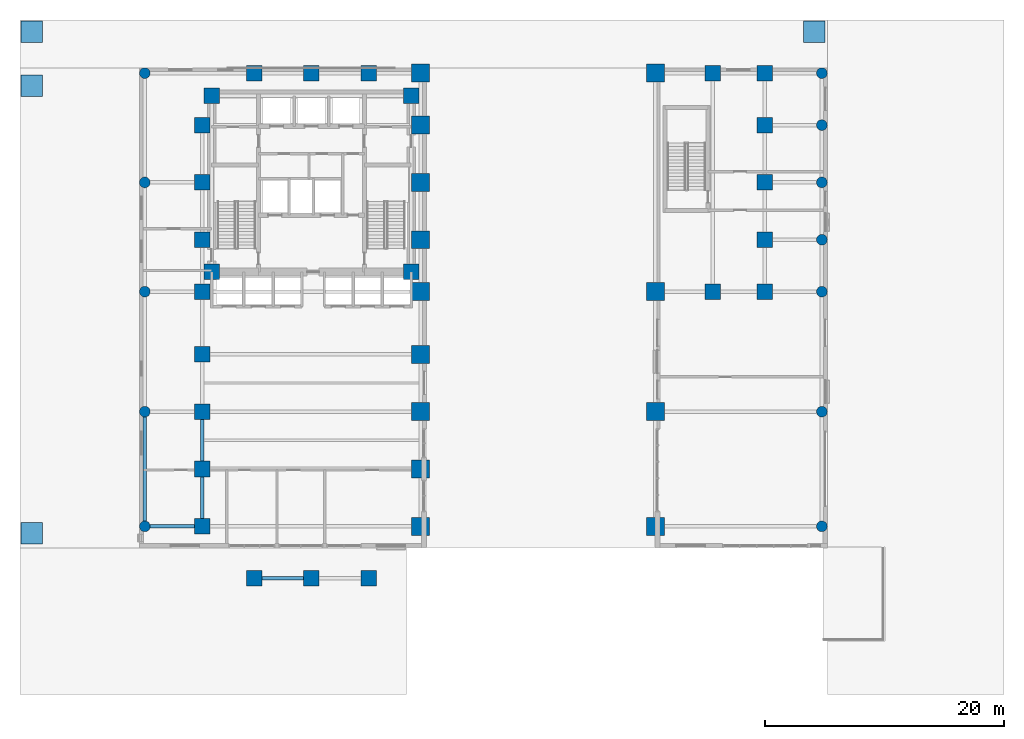
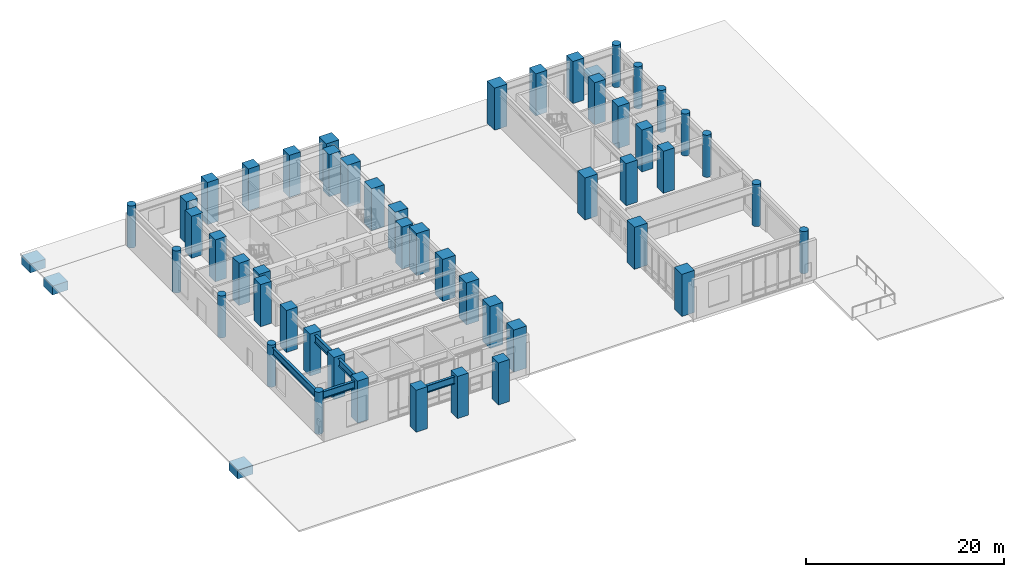
# One storey, part 1 of 16: 50 columns, 5 beams, 4 footings.
"""IFC4 building model written with IfcOpenShell, lengths in metres."""

from ifc_helpers import new_model, si_unit, direction, frame, origin, origin_2d, place, context, subcontext, project, spatial, rectangle, circle, i_section, extrude, material, material_profile, profile_set, type_object, element, save


model = new_model("IFC4")

# Units and contexts
model_context = context("Model", 3, precision=1e-05, world=origin(), true_north=direction((0.0, 1.0)))
body_context = subcontext(model_context, "Body", "Model", "MODEL_VIEW")
ifc_project = project(units=[si_unit("LENGTHUNIT", "METRE"), si_unit("AREAUNIT", "SQUARE_METRE"), si_unit("VOLUMEUNIT", "CUBIC_METRE"), si_unit("PLANEANGLEUNIT", "RADIAN"), si_unit("MASSUNIT", "GRAM", prefix="KILO")], contexts=[model_context])

# Site, building, storey
site_placement = place(None, origin())
site = spatial("IfcSite", under=ifc_project, at=site_placement, CompositionType="ELEMENT")
building_placement = place(site_placement, origin())
building = spatial("IfcBuilding", under=site, at=building_placement, Name="Orvandelia Arch Residences", CompositionType="ELEMENT")
storey_placement = place(building_placement, origin())
storey = spatial("IfcBuildingStorey", under=building, at=storey_placement, Name="L00", CompositionType="ELEMENT", Elevation=0.0)

# Footings
ifc_material_1 = material(Name="Concrete C50/60", Category="concrete")
footing_type = type_object("IfcFootingType", Name="FTG-PAD-1800", PredefinedType="PAD_FOOTING", material=ifc_material_1)
for number, where, z_axis, x_axis, name in (
    (1, (-9.0, 51.0, -1.300048828125), (0.0, 0.0, 1.0), (1.0, 0.0, 0.0), "Promenade Edge Pad Footing PLZ-1"),
    (2, (56.5, 51.0, -1.300048828125), (0.0, 0.0, 1.0), (1.0, 0.0, 0.0), "Promenade Edge Pad Footing PLZ-2"),
    (3, (-9.0, 9.0, -1.300048828125), (0.0, 0.0, 1.0), (1.0, 0.0, 0.0), "Promenade Edge Pad Footing PLZ-3"),
    (4, (-9.0, 46.5, -1.300048828125), (0.0, 0.0, 1.0), (1.0, 0.0, 0.0), "Promenade Edge Pad Footing PLZ-4"),
):
    element("IfcFooting", number, at=place(storey_placement, frame(where, z_axis=z_axis, x_axis=x_axis)), inside=storey, type_object=footing_type, Name=name, PredefinedType="PAD_FOOTING", context=body_context, shape_type="SweptSolid", body=[
        extrude(rectangle(XDim=1.800048828125, YDim=1.800048828125, at=origin_2d()), origin(), (0.0, 0.0, 1.0), 1.10009765625),
    ])

# Columns
ifc_material_2 = material(Name="Concrete C80/95", Category="concrete")
ifc_material_profile_1 = material_profile(ifc_material_2, rectangle(XDim=1.5, YDim=1.5, at=origin_2d()), Name="Concrete C80/95", Category="concrete")
ifc_profile_set_1 = profile_set([ifc_material_profile_1], Name="Concrete C80/95")
column_type_1 = type_object("IfcColumnType", Name="COL-MEGA-1500", PredefinedType="USERDEFINED", material=ifc_profile_set_1)
for number, where, z_axis, x_axis, name in (
    (5, (23.550048828125, 9.60009765625, 0.0), (0.0, 0.0, 1.0), (1.0, 0.0, 0.0), "Structural Column L00-W-E-96"),
    (6, (23.550048828125, 14.39990234375, 0.0), (0.0, 0.0, 1.0), (1.0, 0.0, 0.0), "Structural Column L00-W-E-144"),
    (7, (23.550048828125, 19.199951171875, 0.0), (0.0, 0.0, 1.0), (1.0, 0.0, 0.0), "Structural Column L00-W-E-192"),
    (8, (23.550048828125, 24.0, 0.0), (0.0, 0.0, 1.0), (1.0, 0.0, 0.0), "Structural Column L00-W-E-240"),
    (9, (23.550048828125, 29.25, 0.0), (0.0, 0.0, 1.0), (1.0, 0.0, 0.0), "Structural Column L00-W-E-292"),
    (10, (23.550048828125, 33.60009765625, 0.0), (0.0, 0.0, 1.0), (1.0, 0.0, 0.0), "Structural Column L00-W-E-336"),
    (11, (23.550048828125, 38.39990234375, 0.0), (0.0, 0.0, 1.0), (1.0, 0.0, 0.0), "Structural Column L00-W-E-384"),
    (12, (23.550048828125, 43.199951171875, 0.0), (0.0, 0.0, 1.0), (1.0, 0.0, 0.0), "Structural Column L00-W-E-432"),
    (13, (23.550048828125, 47.550048828125, 0.0), (0.0, 0.0, 1.0), (1.0, 0.0, 0.0), "Structural Column L00-W-N-235"),
    (14, (43.199951171875, 9.60009765625, 0.0), (0.0, 0.0, 1.0), (1.0, 0.0, 0.0), "Structural Column L00-MPE-96"),
    (15, (43.199951171875, 19.199951171875, 0.0), (0.0, 0.0, 1.0), (1.0, 0.0, 0.0), "Structural Column L00-MPE-192"),
    (16, (43.199951171875, 29.25, 0.0), (0.0, 0.0, 1.0), (1.0, 0.0, 0.0), "Structural Column L00-E-S-432"),
    (17, (43.199951171875, 47.550048828125, 0.0), (0.0, 0.0, 1.0), (1.0, 0.0, 0.0), "Structural Column L00-E-N-432"),
):
    element("IfcColumn", number, at=place(storey_placement, frame(where, z_axis=z_axis, x_axis=x_axis)), inside=storey, type_object=column_type_1, Name=name, ObjectType="PIER COLUMN", PredefinedType="USERDEFINED", context=body_context, shape_type="SweptSolid", body=[
        extrude(rectangle(XDim=1.5, YDim=1.5, at=origin_2d()), origin(), (0.0, 0.0, 1.0), 5.199951171875),
    ])
ifc_material_3 = material(Name="Concrete C60/75", Category="concrete")
ifc_material_profile_2 = material_profile(ifc_material_3, circle(Radius=0.449951171875, at=origin_2d()), Name="Concrete C60/75", Category="concrete")
ifc_profile_set_2 = profile_set([ifc_material_profile_2], Name="Concrete C60/75")
column_type_2 = type_object("IfcColumnType", Name="COL-POD-900C", PredefinedType="COLUMN", material=ifc_profile_set_2)
for number, where, z_axis, x_axis, name in (
    (18, (0.449951171875, 9.60009765625, 0.0), (0.0, 0.0, 1.0), (1.0, 0.0, 0.0), "Structural Column L00-POD-W0-96"),
    (19, (0.449951171875, 19.199951171875, 0.0), (0.0, 0.0, 1.0), (1.0, 0.0, 0.0), "Structural Column L00-POD-W0-192"),
    (20, (0.449951171875, 29.25, 0.0), (0.0, 0.0, 1.0), (1.0, 0.0, 0.0), "Structural Column L00-POD-W0-292"),
    (21, (0.449951171875, 38.39990234375, 0.0), (0.0, 0.0, 1.0), (1.0, 0.0, 0.0), "Structural Column L00-POD-W0-384"),
    (22, (0.449951171875, 47.550048828125, 0.0), (0.0, 0.0, 1.0), (1.0, 0.0, 0.0), "Structural Column L00-POD-W0-475"),
    (23, (57.14990234375, 9.60009765625, 0.0), (0.0, 0.0, 1.0), (1.0, 0.0, 0.0), "Structural Column L00-POD-E0-96"),
    (24, (57.14990234375, 19.199951171875, 0.0), (0.0, 0.0, 1.0), (1.0, 0.0, 0.0), "Structural Column L00-POD-E0-192"),
    (25, (57.14990234375, 29.25, 0.0), (0.0, 0.0, 1.0), (1.0, 0.0, 0.0), "Structural Column L00-POD-E0-292"),
    (26, (57.14990234375, 33.60009765625, 0.0), (0.0, 0.0, 1.0), (1.0, 0.0, 0.0), "Structural Column L00-E-571-336"),
    (27, (57.14990234375, 38.39990234375, 0.0), (0.0, 0.0, 1.0), (1.0, 0.0, 0.0), "Structural Column L00-POD-E0-384"),
    (28, (57.14990234375, 43.199951171875, 0.0), (0.0, 0.0, 1.0), (1.0, 0.0, 0.0), "Structural Column L00-E-571-432"),
    (29, (57.14990234375, 47.550048828125, 0.0), (0.0, 0.0, 1.0), (1.0, 0.0, 0.0), "Structural Column L00-POD-E0-475"),
):
    element("IfcColumn", number, at=place(storey_placement, frame(where, z_axis=z_axis, x_axis=x_axis)), inside=storey, type_object=column_type_2, Name=name, PredefinedType="COLUMN", context=body_context, shape_type="SweptSolid", body=[
        extrude(circle(Radius=0.449951171875, at=origin_2d()), origin(), (0.0, 0.0, 1.0), 5.199951171875),
    ])
ifc_material_profile_3 = material_profile(ifc_material_2, rectangle(XDim=1.300048828125, YDim=1.300048828125, at=origin_2d()), Name="Concrete C80/95", Category="concrete")
ifc_profile_set_3 = profile_set([ifc_material_profile_3], Name="Concrete C80/95")
column_type_3 = type_object("IfcColumnType", Name="COL-TWR-1300", PredefinedType="COLUMN", material=ifc_profile_set_3)
for number, where, z_axis, x_axis, name in (
    (30, (5.25, 9.60009765625, 0.0), (0.0, 0.0, 1.0), (1.0, 0.0, 0.0), "Structural Column L00-W-W-96"),
    (31, (5.25, 14.39990234375, 0.0), (0.0, 0.0, 1.0), (1.0, 0.0, 0.0), "Structural Column L00-W-W-144"),
    (32, (5.25, 19.199951171875, 0.0), (0.0, 0.0, 1.0), (1.0, 0.0, 0.0), "Structural Column L00-W-W-192"),
    (33, (5.25, 24.0, 0.0), (0.0, 0.0, 1.0), (1.0, 0.0, 0.0), "Structural Column L00-W-W-240"),
    (34, (5.25, 29.25, 0.0), (0.0, 0.0, 1.0), (1.0, 0.0, 0.0), "Structural Column L00-W-W-292"),
    (35, (5.25, 33.60009765625, 0.0), (0.0, 0.0, 1.0), (1.0, 0.0, 0.0), "Structural Column L00-W-W-336"),
    (36, (5.25, 38.39990234375, 0.0), (0.0, 0.0, 1.0), (1.0, 0.0, 0.0), "Structural Column L00-W-W-384"),
    (37, (5.25, 43.199951171875, 0.0), (0.0, 0.0, 1.0), (1.0, 0.0, 0.0), "Structural Column L00-W-W-432"),
    (38, (6.050048828125, 30.89990234375, 0.0), (0.0, 0.0, 1.0), (1.0, 0.0, 0.0), "Structural Column L00-CR-SW"),
    (39, (6.050048828125, 45.64990234375, 0.0), (0.0, 0.0, 1.0), (1.0, 0.0, 0.0), "Structural Column L00-CR-NW"),
    (40, (9.60009765625, 5.25, 0.0), (0.0, 0.0, 1.0), (1.0, 0.0, 0.0), "Structural Column L00-W-S-96"),
    (41, (9.60009765625, 47.550048828125, 0.0), (0.0, 0.0, 1.0), (1.0, 0.0, 0.0), "Structural Column L00-W-N-96"),
    (42, (14.39990234375, 5.25, 0.0), (0.0, 0.0, 1.0), (1.0, 0.0, 0.0), "Structural Column L00-W-S-144"),
    (43, (14.39990234375, 47.550048828125, 0.0), (0.0, 0.0, 1.0), (1.0, 0.0, 0.0), "Structural Column L00-W-N-144"),
    (44, (19.199951171875, 5.25, 0.0), (0.0, 0.0, 1.0), (1.0, 0.0, 0.0), "Structural Column L00-W-S-192"),
    (45, (19.199951171875, 47.550048828125, 0.0), (0.0, 0.0, 1.0), (1.0, 0.0, 0.0), "Structural Column L00-W-N-192"),
    (46, (22.75, 30.89990234375, 0.0), (0.0, 0.0, 1.0), (1.0, 0.0, 0.0), "Structural Column L00-CR-SE"),
    (47, (22.75, 45.64990234375, 0.0), (0.0, 0.0, 1.0), (1.0, 0.0, 0.0), "Structural Column L00-CR-NE"),
    (48, (48.0, 29.25, 0.0), (0.0, 0.0, 1.0), (1.0, 0.0, 0.0), "Structural Column L00-E-S-480"),
    (49, (48.0, 47.550048828125, 0.0), (0.0, 0.0, 1.0), (1.0, 0.0, 0.0), "Structural Column L00-E-N-480"),
    (50, (52.35009765625, 29.25, 0.0), (0.0, 0.0, 1.0), (1.0, 0.0, 0.0), "Structural Column L00-E-S-523"),
    (51, (52.35009765625, 33.60009765625, 0.0), (0.0, 0.0, 1.0), (1.0, 0.0, 0.0), "Structural Column L00-E-523-336"),
    (52, (52.35009765625, 38.39990234375, 0.0), (0.0, 0.0, 1.0), (1.0, 0.0, 0.0), "Structural Column L00-E-523-384"),
    (53, (52.35009765625, 43.199951171875, 0.0), (0.0, 0.0, 1.0), (1.0, 0.0, 0.0), "Structural Column L00-E-523-432"),
    (54, (52.35009765625, 47.550048828125, 0.0), (0.0, 0.0, 1.0), (1.0, 0.0, 0.0), "Structural Column L00-E-N-523"),
):
    element("IfcColumn", number, at=place(storey_placement, frame(where, z_axis=z_axis, x_axis=x_axis)), inside=storey, type_object=column_type_3, Name=name, PredefinedType="COLUMN", context=body_context, shape_type="SweptSolid", body=[
        extrude(rectangle(XDim=1.300048828125, YDim=1.300048828125, at=origin_2d()), origin(), (0.0, 0.0, 1.0), 5.199951171875),
    ])

# Beams
ifc_material_4 = material(Name="Structural Steel HSA650 (650 MPa)", Category="steel")
ifc_material_profile_4 = material_profile(ifc_material_4, i_section(OverallWidth=0.300048828125, OverallDepth=0.89990234375, WebThickness=0.01611328125, FlangeThickness=0.028076171875, FilletRadius=0.028076171875, at=origin_2d()), Name="Structural Steel HSA650 (650 MPa)", Category="steel")
ifc_profile_set_4 = profile_set([ifc_material_profile_4], Name="Structural Steel HSA650 (650 MPa)")
beam_type = type_object("IfcBeamType", Name="BM-GRD-H900", PredefinedType="BEAM", material=ifc_profile_set_4)
beam_1_placement = place(storey_placement, frame((0.449951171875, 9.60009765625, 4.43994140625), z_axis=(0.0, 1.0, 0.0), x_axis=(-1.0, 0.0, 0.0)))
element("IfcBeam", 55, at=beam_1_placement, inside=storey, type_object=beam_type, Name="Structural Frame Beam L00-NS-001", PredefinedType="BEAM", context=body_context, shape_type="SweptSolid", body=[
    extrude(i_section(OverallWidth=0.300048828125, OverallDepth=0.89990234375, WebThickness=0.01611328125, FlangeThickness=0.028076171875, FilletRadius=0.028076171875, at=origin_2d()), origin(), (0.0, 0.0, 1.0), 9.599853515625),
])
beam_2_placement = place(storey_placement, frame((5.25, 9.60009765625, 4.43994140625), z_axis=(0.0, 1.0, 0.0), x_axis=(-1.0, 0.0, 0.0)))
element("IfcBeam", 56, at=beam_2_placement, inside=storey, type_object=beam_type, Name="Structural Frame Beam L00-NS-005", PredefinedType="BEAM", context=body_context, shape_type="SweptSolid", body=[
    extrude(i_section(OverallWidth=0.300048828125, OverallDepth=0.89990234375, WebThickness=0.01611328125, FlangeThickness=0.028076171875, FilletRadius=0.028076171875, at=origin_2d()), origin(), (0.0, 0.0, 1.0), 4.7998046875),
])
beam_3_placement = place(storey_placement, frame((5.25, 14.39990234375, 4.43994140625), z_axis=(0.0, 1.0, 0.0), x_axis=(-1.0, 0.0, 0.0)))
element("IfcBeam", 57, at=beam_3_placement, inside=storey, type_object=beam_type, Name="Structural Frame Beam L00-NS-006", PredefinedType="BEAM", context=body_context, shape_type="SweptSolid", body=[
    extrude(i_section(OverallWidth=0.300048828125, OverallDepth=0.89990234375, WebThickness=0.01611328125, FlangeThickness=0.028076171875, FilletRadius=0.028076171875, at=origin_2d()), origin(), (0.0, 0.0, 1.0), 4.800048828125),
])
beam_4_placement = place(storey_placement, frame((9.60009765625, 5.25, 4.43994140625), z_axis=(1.0, 0.0, 0.0), x_axis=(0.0, 1.0, 0.0)))
element("IfcBeam", 58, at=beam_4_placement, inside=storey, type_object=beam_type, Name="Structural Frame Girder L00-EW-036", PredefinedType="BEAM", context=body_context, shape_type="SweptSolid", body=[
    extrude(i_section(OverallWidth=0.300048828125, OverallDepth=0.89990234375, WebThickness=0.01611328125, FlangeThickness=0.028076171875, FilletRadius=0.028076171875, at=origin_2d()), origin(), (0.0, 0.0, 1.0), 4.7998046875),
])
beam_5_placement = place(storey_placement, frame((0.449951171875, 9.60009765625, 4.43994140625), z_axis=(1.0, 0.0, 0.0), x_axis=(0.0, 1.0, 0.0)))
element("IfcBeam", 59, at=beam_5_placement, inside=storey, type_object=beam_type, Name="Structural Frame Girder L00-EW-038", PredefinedType="BEAM", context=body_context, shape_type="SweptSolid", body=[
    extrude(i_section(OverallWidth=0.300048828125, OverallDepth=0.89990234375, WebThickness=0.01611328125, FlangeThickness=0.028076171875, FilletRadius=0.028076171875, at=origin_2d()), origin(), (0.0, 0.0, 1.0), 4.800048828125),
])

save(model, "model.ifc")
